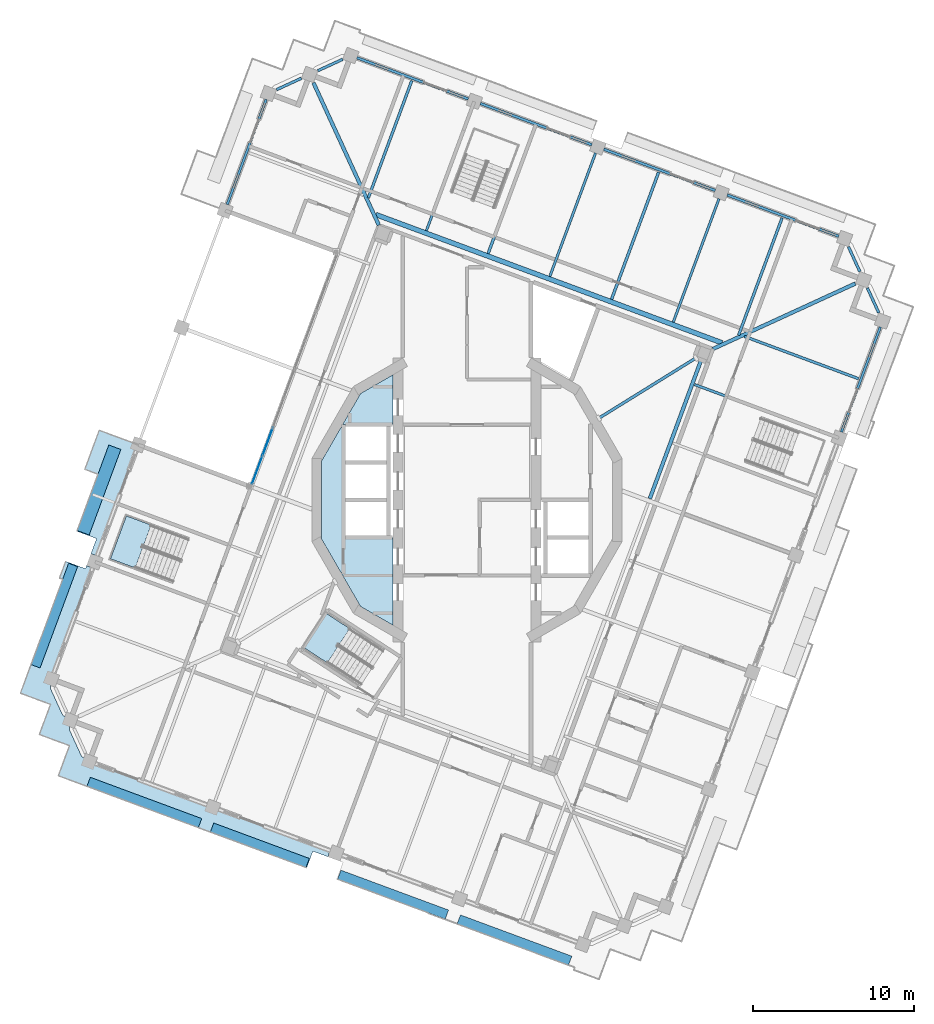
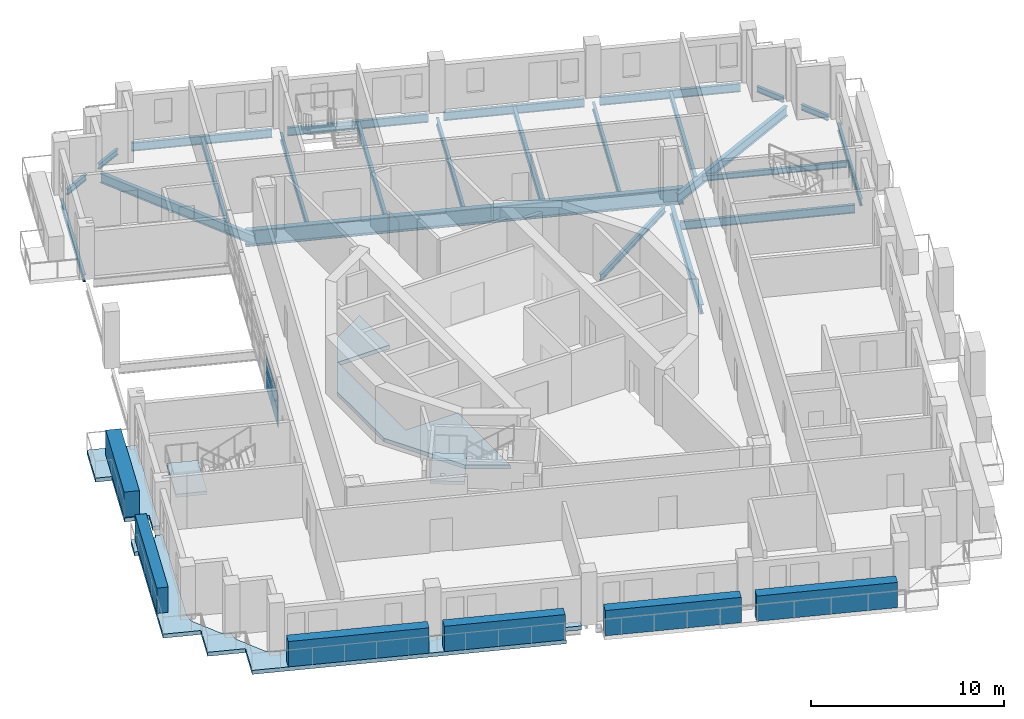
# One storey, part 5 of 20: 24 beams, 10 plates, 5 slabs, 3 elements without a shape of their own.
"""IFC4 building model written with IfcOpenShell, lengths in metres."""

import ifcopenshell
import ifcopenshell.guid

model = None  # the IFC model being written
_history = None  # IfcOwnerHistory: only IFC2X3 demands one
_inside = {}  # id of a spatial element -> (the spatial element, [elements in it])
_under = {}  # id of a project, library or spatial element -> (it, [spatial elements below it])
_declared = {}  # id of a project -> (the project, [libraries it declares])
_typed = {}  # id of a type object -> (the type object, [elements of that type])
_made_of = {}  # id of a material, layer set ... -> (it, [elements and type objects made of it])


def new_model(schema):
    """Start an empty IFC model of exactly this schema.

    Asked for "IFC4X3", IfcOpenShell would pick the latest addendum, in which some entities
    have other attributes; the version numbers below select the first issue.
    IFC2X3 requires an IfcOwnerHistory on every rooted entity: one is made here for all.
    """
    global model, _history
    if schema == "IFC4X3":
        model = ifcopenshell.file(schema_version=(4, 3, 0, 0))
    else:
        model = ifcopenshell.file(schema=schema)
    _inside.clear()
    _under.clear()
    _declared.clear()
    _typed.clear()
    _made_of.clear()
    _history = None
    if model.schema == "IFC2X3":
        org = make("IfcOrganization", Name="unknown")
        user = make(
            "IfcPersonAndOrganization",
            ThePerson=make("IfcPerson", FamilyName="unknown"),
            TheOrganization=org,
        )
        app = make(
            "IfcApplication",
            ApplicationDeveloper=org,
            Version="unknown",
            ApplicationFullName="unknown",
            ApplicationIdentifier="unknown",
        )
        _history = make(
            "IfcOwnerHistory",
            OwningUser=user,
            OwningApplication=app,
            ChangeAction="ADDED",
            CreationDate=0,
        )
    return model


def make(cls, **values):
    """One entity of the class cls with the attributes given. An attribute that is None is left unset."""
    return model.create_entity(
        cls, **{name: value for name, value in values.items() if value is not None}
    )


def rooted(cls, **values):
    """An entity with a GlobalId (a new one), such as an element, a storey or a relation."""
    return make(cls, GlobalId=ifcopenshell.guid.new(), OwnerHistory=_history, **values)


def si_unit(unit_type, name, prefix=None):
    """IfcSIUnit, for example si_unit("LENGTHUNIT", "METRE", prefix="MILLI")."""
    return make("IfcSIUnit", UnitType=unit_type, Prefix=prefix, Name=name)


def assignment(units):
    """IfcUnitAssignment: the units of a project."""
    return None if units is None else make("IfcUnitAssignment", Units=units)


def point(xyz):
    """IfcCartesianPoint."""
    return None if xyz is None else make("IfcCartesianPoint", Coordinates=xyz)


def direction(xyz):
    """IfcDirection."""
    return None if xyz is None else make("IfcDirection", DirectionRatios=xyz)


def frame(location, z_axis=None, x_axis=None):
    """IfcAxis2Placement3D, a coordinate frame: its origin and axes. An axis left out is left unset."""
    return make(
        "IfcAxis2Placement3D",
        Location=point(location),
        Axis=direction(z_axis),
        RefDirection=direction(x_axis),
    )


def frame_2d(location, x_axis=None):
    """IfcAxis2Placement2D, a coordinate frame in the plane: its origin and x axis."""
    return make(
        "IfcAxis2Placement2D", Location=point(location), RefDirection=direction(x_axis)
    )


def origin():
    """The frame at (0, 0, 0) with its axes left unset."""
    return frame((0.0, 0.0, 0.0))


def origin_2d():
    """The frame at (0, 0) in the plane with its x axis left unset."""
    return frame_2d((0.0, 0.0))


def place(relative_to, where):
    """IfcLocalPlacement: puts the frame where relative to a parent placement (None: the world)."""
    return make(
        "IfcLocalPlacement", PlacementRelTo=relative_to, RelativePlacement=where
    )


def context(
    kind, dimensions, precision=None, world=None, true_north=None, identifier=None
):
    """IfcGeometricRepresentationContext, for example the 3D "Model" context."""
    return make(
        "IfcGeometricRepresentationContext",
        ContextIdentifier=identifier,
        ContextType=kind,
        CoordinateSpaceDimension=dimensions,
        Precision=precision,
        WorldCoordinateSystem=world,
        TrueNorth=true_north,
    )


def subcontext(parent, identifier, kind, view, scale=None):
    """IfcGeometricRepresentationSubContext, for example "Body" below "Model"."""
    return make(
        "IfcGeometricRepresentationSubContext",
        ContextIdentifier=identifier,
        ContextType=kind,
        ParentContext=parent,
        TargetScale=scale,
        TargetView=view,
    )


def project(units=None, contexts=None):
    """IfcProject with its units and contexts."""
    return rooted(
        "IfcProject",
        Name="project",
        RepresentationContexts=contexts,
        UnitsInContext=assignment(units),
    )


def spatial(cls, under=None, at=None, **own):
    """A site, building, storey or space (cls), placed at a placement, below another one or the project."""
    s = rooted(cls, ObjectPlacement=at, **own)
    if under is not None:
        _under.setdefault(under.id(), (under, []))[1].append(s)
    return s


def polyline(points):
    """IfcPolyline through the points."""
    return make("IfcPolyline", Points=[point(p) for p in points])


def profile(cls, at=None, kind="AREA", **sizes):
    """A parametric profile (cls). Its sizes go by their IFC names, for example OverallWidth=200.0."""
    return make(cls, ProfileType=kind, Position=at, **sizes)


def rectangle(**sizes):
    """IfcRectangleProfileDef."""
    return profile("IfcRectangleProfileDef", **sizes)


def i_section(**sizes):
    """IfcIShapeProfileDef."""
    return profile("IfcIShapeProfileDef", **sizes)


def outline(outer, holes=None, kind="AREA"):
    """IfcArbitraryClosedProfileDef: a profile drawn as a closed curve; with holes, ...WithVoids."""
    if holes is None:
        return make("IfcArbitraryClosedProfileDef", ProfileType=kind, OuterCurve=outer)
    return make(
        "IfcArbitraryProfileDefWithVoids",
        ProfileType=kind,
        OuterCurve=outer,
        InnerCurves=holes,
    )


def extrude(swept, where, along, depth):
    """IfcExtrudedAreaSolid: the profile swept, set in the frame where, extruded along a direction by depth."""
    return make(
        "IfcExtrudedAreaSolid",
        SweptArea=swept,
        Position=where,
        ExtrudedDirection=direction(along),
        Depth=depth,
    )


def shape(context_of_items, identifier, shape_type, items):
    """IfcShapeRepresentation: the items that make up one representation, for example the "Body"."""
    return make(
        "IfcShapeRepresentation",
        ContextOfItems=context_of_items,
        RepresentationIdentifier=identifier,
        RepresentationType=shape_type,
        Items=items,
    )


def material(Name=None, Category=None):
    """IfcMaterial."""
    return make("IfcMaterial", Name=Name, Category=Category)


def layer(
    of_material, thickness, ventilated=None, Name=None, Category=None, Priority=None
):
    """IfcMaterialLayer: one layer of a wall or slab, of a material (None: an air gap)."""
    return make(
        "IfcMaterialLayer",
        Material=of_material,
        LayerThickness=thickness,
        IsVentilated=ventilated,
        Name=Name,
        Category=Category,
        Priority=Priority,
    )


def layer_set(layers, Name=None):
    """IfcMaterialLayerSet."""
    return make("IfcMaterialLayerSet", MaterialLayers=layers, LayerSetName=Name)


def material_profile(
    of_material, cross_section, Name=None, Category=None, Priority=None
):
    """IfcMaterialProfile: a cross section and its material."""
    return make(
        "IfcMaterialProfile",
        Name=Name,
        Material=of_material,
        Profile=cross_section,
        Priority=Priority,
        Category=Category,
    )


def profile_set(profiles, Name=None, composite=None):
    """IfcMaterialProfileSet."""
    return make(
        "IfcMaterialProfileSet",
        Name=Name,
        MaterialProfiles=profiles,
        CompositeProfile=composite,
    )


def made_of(thing, what):
    """Note that an element or type object is made of a material, layer set ...; save() writes the relation."""
    if what is not None:
        _made_of.setdefault(what.id(), (what, []))[1].append(thing)
    return thing


def type_object(cls, material=None, **own):
    """A type object (cls), such as IfcWallType, which elements share."""
    return made_of(rooted(cls, **own), material)


def element(
    cls,
    number,
    at=None,
    inside=None,
    cuts=None,
    type_object=None,
    material=None,
    context=None,
    identifier="Body",
    shape_type=None,
    held_by="IfcProductDefinitionShape",
    body=None,
    shapes=None,
    **own,
):
    """One element of the class cls, such as IfcWall. Its Tag is "e" and its number.

    at: its placement. inside: the storey or other place that contains it. cuts: it is an
    opening in that element (IfcRelVoidsElement). A single representation is given by context,
    identifier, shape_type and body (its items); several are given by shapes. held_by: the class
    of the entity that holds the representations. save() writes the other relations.
    """
    e = rooted(cls, Tag="e%d" % number, ObjectPlacement=at, **own)
    if body is not None:
        shapes = [shape(context, identifier, shape_type, body)]
    if shapes is not None:
        e.Representation = make(held_by, Representations=shapes)
    if inside is not None:
        _inside.setdefault(inside.id(), (inside, []))[1].append(e)
    if cuts is not None:
        rooted(
            "IfcRelVoidsElement", RelatingBuildingElement=cuts, RelatedOpeningElement=e
        )
    if type_object is not None:
        _typed.setdefault(type_object.id(), (type_object, []))[1].append(e)
    return made_of(e, material)


def aggregate(whole, parts):
    """IfcRelAggregates: a whole, such as a stair, and the parts it consists of."""
    return rooted("IfcRelAggregates", RelatingObject=whole, RelatedObjects=parts)


def save(model, path):
    """Write the relations noted so far, then the file.

    IfcRelAggregates (storeys below a building ...), IfcRelContainedInSpatialStructure (elements
    in a storey), IfcRelDefinesByType, IfcRelAssociatesMaterial and IfcRelDeclares: one each for
    every whole, place, type object, material and project.
    """
    for whole, parts in _under.values():
        aggregate(whole, parts)
    for where, things in _inside.values():
        rooted(
            "IfcRelContainedInSpatialStructure",
            RelatedElements=things,
            RelatingStructure=where,
        )
    for kind, things in _typed.values():
        rooted("IfcRelDefinesByType", RelatedObjects=things, RelatingType=kind)
    for what, things in _made_of.values():
        rooted("IfcRelAssociatesMaterial", RelatedObjects=things, RelatingMaterial=what)
    for by, libraries in _declared.values():
        rooted("IfcRelDeclares", RelatingContext=by, RelatedDefinitions=libraries)
    model.write(path)


model = new_model("IFC4")

# Units and contexts
model_context = context("Model", 3, precision=1e-05, world=origin(), true_north=direction((0.0, 1.0)))
body_context = subcontext(model_context, "Body", "Model", "MODEL_VIEW")
ifc_project = project(units=[si_unit("LENGTHUNIT", "METRE"), si_unit("AREAUNIT", "SQUARE_METRE"), si_unit("VOLUMEUNIT", "CUBIC_METRE"), si_unit("PLANEANGLEUNIT", "RADIAN"), si_unit("MASSUNIT", "GRAM", prefix="KILO")], contexts=[model_context])

# Site, building, storey
site_placement = place(None, origin())
site = spatial("IfcSite", under=ifc_project, at=site_placement, CompositionType="ELEMENT")
building_placement = place(site_placement, origin())
building = spatial("IfcBuilding", under=site, at=building_placement, Name="Cantera Rosa Tower", CompositionType="ELEMENT")
storey_placement = place(building_placement, frame((0.0, 0.0, 313.300048828125)))
storey = spatial("IfcBuildingStorey", under=building, at=storey_placement, Name="L69", CompositionType="ELEMENT", Elevation=313.300048828125)

# Beams
ifc_material_1 = material(Name="Steel ASTM A992 (Fy 345 MPa)", Category="steel")
ifc_material_profile_1 = material_profile(ifc_material_1, i_section(OverallWidth=0.302001953125, OverallDepth=1.010009765625, WebThickness=0.02099609375, FlangeThickness=0.0400390625, FilletRadius=0.030029296875, at=origin_2d()), Name="W1000X350")
ifc_profile_set_1 = profile_set([ifc_material_profile_1], Name="Steel ASTM A992 (Fy 345 MPa)")
beam_type_1 = type_object("IfcBeamType", Name="STEEL BEAM W1000X350", PredefinedType="BEAM", material=ifc_profile_set_1)
beam_1_placement = place(storey_placement, frame((15.891357421875, 9.787841796875, -0.755126953125), z_axis=(-0.937685748232, 0.347484442189, 0.0), x_axis=(-0.347484442189, -0.937685748232, 0.0)))
element("IfcBeam", 1, at=beam_1_placement, inside=storey, type_object=beam_type_1, Name="RB-Z6-07 L69", PredefinedType="BEAM", context=body_context, shape_type="SweptSolid", body=[
    extrude(i_section(OverallWidth=0.302001953125, OverallDepth=1.010009765625, WebThickness=0.02099609375, FlangeThickness=0.0400390625, FilletRadius=0.030029296875, at=origin_2d()), origin(), (0.0, 0.0, 1.0), 23.000244140625),
])
ifc_material_2 = material(Name="Steel ASTM A992 (Fy 345 MPa)", Category="steel")
ifc_material_profile_2 = material_profile(ifc_material_2, i_section(OverallWidth=0.177978515625, OverallDepth=0.406005859375, WebThickness=0.0078125, FlangeThickness=0.0126953125, FilletRadius=0.01025390625, at=origin_2d()), Name="W410X60")
ifc_profile_set_2 = profile_set([ifc_material_profile_2], Name="Steel ASTM A992 (Fy 345 MPa)")
beam_type_2 = type_object("IfcBeamType", Name="STEEL BEAM W410X60", PredefinedType="BEAM", material=ifc_profile_set_2)
beam_2_placement = place(storey_placement, frame((14.262451171875, 8.84521484375, -0.453125), z_axis=(-0.849840939707, -0.527039255841, 0.0), x_axis=(0.527039255841, -0.849840939707, 0.0)))
element("IfcBeam", 2, at=beam_2_placement, inside=storey, type_object=beam_type_2, Name="PG-Z6-02 L69", PredefinedType="BEAM", context=body_context, shape_type="SweptSolid", body=[
    extrude(i_section(OverallWidth=0.177978515625, OverallDepth=0.406005859375, WebThickness=0.0078125, FlangeThickness=0.0126953125, FilletRadius=0.01025390625, at=origin_2d()), origin(), (0.0, 0.0, 1.0), 7.118408203125),
])
ifc_material_3 = material(Name="Steel ASTM A992 (Fy 345 MPa)", Category="steel")
ifc_material_profile_3 = material_profile(ifc_material_3, i_section(OverallWidth=0.154052734375, OverallDepth=0.4599609375, WebThickness=0.009033203125, FlangeThickness=0.015380859375, FilletRadius=0.01025390625, at=origin_2d()), Name="W460X68")
ifc_profile_set_3 = profile_set([ifc_material_profile_3], Name="Steel ASTM A992 (Fy 345 MPa)")
beam_type_3 = type_object("IfcBeamType", Name="STEEL BEAM W460X68", PredefinedType="BEAM", material=ifc_profile_set_3)
for number, where, z_axis, x_axis, name in (
    (3, (15.698486328125, 18.764404296875, -0.47998046875), (-0.347476286421, -0.937688770528, 0.0), (0.937688770528, -0.347476286421, 0.0), "G-Z6-01 L69"),
    (4, (8.009521484375, 21.61376953125, -0.47998046875), (-0.347476286421, -0.937688770528, 0.0), (0.937688770528, -0.347476286421, 0.0), "G-Z6-02 L69"),
    (5, (0.3203125, 24.463134765625, -0.47998046875), (-0.347476286421, -0.937688770528, 0.0), (0.937688770528, -0.347476286421, 0.0), "G-Z6-03 L69"),
):
    element("IfcBeam", number, at=place(storey_placement, frame(where, z_axis=z_axis, x_axis=x_axis)), inside=storey, type_object=beam_type_3, Name=name, PredefinedType="BEAM", context=body_context, shape_type="SweptSolid", body=[
        extrude(i_section(OverallWidth=0.154052734375, OverallDepth=0.4599609375, WebThickness=0.009033203125, FlangeThickness=0.015380859375, FilletRadius=0.01025390625, at=origin_2d()), origin(), (0.0, 0.0, 1.0), 8.2001953125),
    ])
ifc_material_4 = material(Name="Steel ASTM A992 (Fy 345 MPa)", Category="steel")
ifc_material_profile_4 = material_profile(ifc_material_4, i_section(OverallWidth=0.166015625, OverallDepth=0.528076171875, WebThickness=0.009765625, FlangeThickness=0.013671875, FilletRadius=0.0126953125, at=origin_2d()), Name="W530X74")
ifc_profile_set_4 = profile_set([ifc_material_profile_4], Name="Steel ASTM A992 (Fy 345 MPa)")
beam_type_4 = type_object("IfcBeamType", Name="STEEL BEAM W530X74", PredefinedType="BEAM", material=ifc_profile_set_4)
beam_3_placement = place(storey_placement, frame((22.808837890625, 3.9931640625, -0.51416015625), z_axis=(-0.937688566, 0.347476838353, 0.0), x_axis=(-0.347476838353, -0.937688566, 0.0)))
element("IfcBeam", 6, at=beam_3_placement, inside=storey, type_object=beam_type_4, Name="G-Z6-11 L69", PredefinedType="BEAM", context=body_context, shape_type="SweptSolid", body=[
    extrude(i_section(OverallWidth=0.166015625, OverallDepth=0.528076171875, WebThickness=0.009765625, FlangeThickness=0.013671875, FilletRadius=0.0126953125, at=origin_2d()), origin(), (0.0, 0.0, 1.0), 9.199951171875),
])
ifc_material_5 = material(Name="Steel ASTM A992 (Fy 345 MPa)", Category="steel")
ifc_material_profile_5 = material_profile(ifc_material_5, i_section(OverallWidth=0.22802734375, OverallDepth=0.60205078125, WebThickness=0.010498046875, FlangeThickness=0.014892578125, FilletRadius=0.0126953125, at=origin_2d()), Name="W610X101")
ifc_profile_set_5 = profile_set([ifc_material_profile_5], Name="Steel ASTM A992 (Fy 345 MPa)")
beam_type_5 = type_object("IfcBeamType", Name="STEEL BEAM W610X101", PredefinedType="BEAM", material=ifc_profile_set_5)
for number, where, z_axis, x_axis, name in (
    (7, (-9.56396484375, 25.992919921875, -0.551025390625), (0.417345508131, -0.908747889595, 0.0), (0.908747889595, 0.417345508131, 0.0), "CB-Z6-01 L69"),
    (8, (24.19287109375, 13.483642578125, -0.551025390625), (-0.908747889595, -0.417345508131, 0.0), (0.417345508131, -0.908747889595, 0.0), "CB-Z6-04 L69"),
):
    element("IfcBeam", number, at=place(storey_placement, frame(where, z_axis=z_axis, x_axis=x_axis)), inside=storey, type_object=beam_type_5, Name=name, PredefinedType="BEAM", context=body_context, shape_type="SweptSolid", body=[
        extrude(i_section(OverallWidth=0.22802734375, OverallDepth=0.60205078125, WebThickness=0.010498046875, FlangeThickness=0.014892578125, FilletRadius=0.0126953125, at=origin_2d()), origin(), (0.0, 0.0, 1.0), 9.758056640625),
    ])
beam_4_placement = place(storey_placement, frame((11.39013671875, 0.087646484375, -0.551025390625), z_axis=(0.347498244979, 0.937680633125, 0.0), x_axis=(-0.937680633125, 0.347498244979, 0.0)))
element("IfcBeam", 9, at=beam_4_placement, inside=storey, type_object=beam_type_5, Name="RB-Z6-06 L69", PredefinedType="BEAM", context=body_context, shape_type="SweptSolid", body=[
    extrude(i_section(OverallWidth=0.22802734375, OverallDepth=0.60205078125, WebThickness=0.010498046875, FlangeThickness=0.014892578125, FilletRadius=0.0126953125, at=origin_2d()), origin(), (0.0, 0.0, 1.0), 9.2099609375),
])
ifc_material_6 = material(Name="Steel ASTM A992 (Fy 345 MPa)", Category="steel")
ifc_material_profile_6 = material_profile(ifc_material_6, i_section(OverallWidth=0.1708984375, OverallDepth=0.35595703125, WebThickness=0.00732421875, FlangeThickness=0.01171875, FilletRadius=0.010009765625, at=origin_2d()), Name="W360X51")
ifc_profile_set_6 = profile_set([ifc_material_profile_6], Name="Steel ASTM A992 (Fy 345 MPa)")
beam_type_6 = type_object("IfcBeamType", Name="STEEL JOIST W360X51", PredefinedType="JOIST", material=ifc_profile_set_6)
for number, where, z_axis, x_axis, name in (
    (10, (19.6298828125, 17.573974609375, -0.427978515625), (-0.347491728417, -0.937683048093, 0.0), (0.937683048093, -0.347491728417, 0.0), "B-Z6-01 L69"),
    (11, (-3.437255859375, 26.1220703125, -0.427978515625), (-0.347491728417, -0.937683048093, 0.0), (0.937683048093, -0.347491728417, 0.0), "B-Z6-04 L69"),
):
    element("IfcBeam", number, at=place(storey_placement, frame(where, z_axis=z_axis, x_axis=x_axis)), inside=storey, type_object=beam_type_6, Name=name, PredefinedType="JOIST", context=body_context, shape_type="SweptSolid", body=[
        extrude(i_section(OverallWidth=0.1708984375, OverallDepth=0.35595703125, WebThickness=0.00732421875, FlangeThickness=0.01171875, FilletRadius=0.010009765625, at=origin_2d()), origin(), (0.0, 0.0, 1.0), 7.800048828125),
    ])
beam_5_placement = place(storey_placement, frame((24.39501953125, 7.553955078125, -0.427978515625), z_axis=(-0.937686277131, 0.347483014951, 0.0), x_axis=(-0.347483014951, -0.937686277131, 0.0)))
element("IfcBeam", 12, at=beam_5_placement, inside=storey, type_object=beam_type_6, Name="B-Z6-14 L69", PredefinedType="JOIST", context=body_context, shape_type="SweptSolid", body=[
    extrude(i_section(OverallWidth=0.1708984375, OverallDepth=0.35595703125, WebThickness=0.00732421875, FlangeThickness=0.01171875, FilletRadius=0.010009765625, at=origin_2d()), origin(), (0.0, 0.0, 1.0), 7.590087890625),
])
ifc_material_7 = material(Name="Steel ASTM A992 (Fy 345 MPa)", Category="steel")
ifc_material_profile_7 = material_profile(ifc_material_7, i_section(OverallWidth=0.177978515625, OverallDepth=0.406005859375, WebThickness=0.0078125, FlangeThickness=0.0126953125, FilletRadius=0.01025390625, at=origin_2d()), Name="W410X60")
ifc_profile_set_7 = profile_set([ifc_material_profile_7], Name="Steel ASTM A992 (Fy 345 MPa)")
beam_type_7 = type_object("IfcBeamType", Name="STEEL JOIST W410X60", PredefinedType="JOIST", material=ifc_profile_set_7)
for number, where, z_axis, x_axis, name in (
    (13, (11.94091796875, 20.42333984375, -0.453125), (-0.347492201592, -0.937682872742, 0.0), (0.937682872742, -0.347492201592, 0.0), "B-Z6-02 L69"),
    (14, (4.251708984375, 23.272705078125, -0.453125), (-0.347466797349, -0.937692286808, 0.0), (0.937692286808, -0.347466797349, 0.0), "B-Z6-03 L69"),
):
    element("IfcBeam", number, at=place(storey_placement, frame(where, z_axis=z_axis, x_axis=x_axis)), inside=storey, type_object=beam_type_7, Name=name, PredefinedType="JOIST", context=body_context, shape_type="SweptSolid", body=[
        extrude(i_section(OverallWidth=0.177978515625, OverallDepth=0.406005859375, WebThickness=0.0078125, FlangeThickness=0.0126953125, FilletRadius=0.01025390625, at=origin_2d()), origin(), (0.0, 0.0, 1.0), 8.449951171875),
    ])
ifc_material_8 = material(Name="Steel ASTM A992 (Fy 345 MPa)", Category="steel")
ifc_material_profile_8 = material_profile(ifc_material_8, i_section(OverallWidth=0.1708984375, OverallDepth=0.35595703125, WebThickness=0.00732421875, FlangeThickness=0.01171875, FilletRadius=0.010009765625, at=origin_2d()), Name="W360X51")
ifc_profile_set_8 = profile_set([ifc_material_profile_8], Name="Steel ASTM A992 (Fy 345 MPa)")
beam_type_8 = type_object("IfcBeamType", Name="STEEL SPANDREL BEAM W360X51", PredefinedType="SPANDREL", material=ifc_profile_set_8)
for number, where, z_axis, x_axis, name in (
    (15, (-7.74365234375, 27.451416015625, -0.427978515625), (-0.908753529973, -0.417333226286, 0.0), (0.417333226286, -0.908753529973, 0.0), "EB-Z6-05 L69"),
    (16, (-10.31396484375, 26.27099609375, -0.427978515625), (-0.908753529973, -0.417333226286, 0.0), (0.417333226286, -0.908753529973, 0.0), "EB-Z6-06 L69"),
):
    element("IfcBeam", number, at=place(storey_placement, frame(where, z_axis=z_axis, x_axis=x_axis)), inside=storey, type_object=beam_type_8, Name=name, PredefinedType="SPANDREL", context=body_context, shape_type="SweptSolid", body=[
        extrude(i_section(OverallWidth=0.1708984375, OverallDepth=0.35595703125, WebThickness=0.00732421875, FlangeThickness=0.01171875, FilletRadius=0.010009765625, at=origin_2d()), origin(), (0.0, 0.0, 1.0), 1.697021484375),
    ])
for number, where, z_axis, x_axis, name in (
    (17, (25.651123046875, 11.66357421875, -0.427978515625), (-0.417268968709, 0.908783036677, 0.0), (-0.908783036677, -0.417268968709, 0.0), "EB-Z6-25 L69"),
    (18, (24.470947265625, 14.23388671875, -0.427978515625), (-0.417387791404, 0.908728469669, 0.0), (-0.908728469669, -0.417387791404, 0.0), "EB-Z6-26 L69"),
):
    element("IfcBeam", number, at=place(storey_placement, frame(where, z_axis=z_axis, x_axis=x_axis)), inside=storey, type_object=beam_type_8, Name=name, PredefinedType="SPANDREL", context=body_context, shape_type="SweptSolid", body=[
        extrude(i_section(OverallWidth=0.1708984375, OverallDepth=0.35595703125, WebThickness=0.00732421875, FlangeThickness=0.01171875, FilletRadius=0.010009765625, at=origin_2d()), origin(), (0.0, 0.0, 1.0), 1.69677734375),
    ])
ifc_material_9 = material(Name="Steel ASTM A992 (Fy 345 MPa)", Category="steel")
ifc_material_profile_9 = material_profile(ifc_material_9, i_section(OverallWidth=0.154052734375, OverallDepth=0.4599609375, WebThickness=0.009033203125, FlangeThickness=0.015380859375, FilletRadius=0.01025390625, at=origin_2d()), Name="W460X68")
ifc_profile_set_9 = profile_set([ifc_material_profile_9], Name="Steel ASTM A992 (Fy 345 MPa)")
beam_type_9 = type_object("IfcBeamType", Name="STEEL SPANDREL BEAM W460X68", PredefinedType="SPANDREL", material=ifc_profile_set_9)
beam_6_placement = place(storey_placement, frame((-12.50927734375, 24.95166015625, -0.47998046875), z_axis=(-0.347490919506, -0.937683347864, 0.0), x_axis=(0.937683347864, -0.347490919506, 0.0)))
element("IfcBeam", 19, at=beam_6_placement, inside=storey, type_object=beam_type_9, Name="EB-Z6-07 L69", PredefinedType="SPANDREL", context=body_context, shape_type="SweptSolid", body=[
    extrude(i_section(OverallWidth=0.154052734375, OverallDepth=0.4599609375, WebThickness=0.009033203125, FlangeThickness=0.015380859375, FilletRadius=0.01025390625, at=origin_2d()), origin(), (0.0, 0.0, 1.0), 6.980224609375),
])
beam_7_placement = place(storey_placement, frame((23.322998046875, 4.229248046875, -0.47998046875), z_axis=(0.347460165909, 0.937694744097, 0.0), x_axis=(-0.937694744097, 0.347460165909, 0.0)))
element("IfcBeam", 20, at=beam_7_placement, inside=storey, type_object=beam_type_9, Name="EB-Z6-24 L69", PredefinedType="SPANDREL", context=body_context, shape_type="SweptSolid", body=[
    extrude(i_section(OverallWidth=0.154052734375, OverallDepth=0.4599609375, WebThickness=0.009033203125, FlangeThickness=0.015380859375, FilletRadius=0.01025390625, at=origin_2d()), origin(), (0.0, 0.0, 1.0), 6.97998046875),
])
ifc_material_10 = material(Name="Steel ASTM A992 (Fy 345 MPa)", Category="steel")
ifc_material_profile_10 = material_profile(ifc_material_10, i_section(OverallWidth=0.166015625, OverallDepth=0.528076171875, WebThickness=0.009765625, FlangeThickness=0.013671875, FilletRadius=0.0126953125, at=origin_2d()), Name="W530X74")
ifc_profile_set_10 = profile_set([ifc_material_profile_10], Name="Steel ASTM A992 (Fy 345 MPa)")
beam_type_10 = type_object("IfcBeamType", Name="STEEL SPANDREL BEAM W530X74", PredefinedType="SPANDREL", material=ifc_profile_set_10)
beam_8_placement = place(storey_placement, frame((23.1513671875, 16.428955078125, -0.51416015625), z_axis=(-0.937676706507, 0.347508840281, 0.0), x_axis=(-0.347508840281, -0.937676706507, 0.0)))
element("IfcBeam", 21, at=beam_8_placement, inside=storey, type_object=beam_type_10, Name="EB-Z6-01 L69", PredefinedType="SPANDREL", context=body_context, shape_type="SweptSolid", body=[
    extrude(i_section(OverallWidth=0.166015625, OverallDepth=0.528076171875, WebThickness=0.009765625, FlangeThickness=0.013671875, FilletRadius=0.0126953125, at=origin_2d()), origin(), (0.0, 0.0, 1.0), 7.39990234375),
])
for number, where, z_axis, x_axis, name in (
    (22, (15.46240234375, 19.2783203125, -0.51416015625), (-0.937680690562, 0.34749808999, 0.0), (-0.34749808999, -0.937680690562, 0.0), "EB-Z6-02 L69"),
    (23, (7.7734375, 22.127685546875, -0.51416015625), (-0.937680690562, 0.34749808999, 0.0), (-0.34749808999, -0.937680690562, 0.0), "EB-Z6-03 L69"),
):
    element("IfcBeam", number, at=place(storey_placement, frame(where, z_axis=z_axis, x_axis=x_axis)), inside=storey, type_object=beam_type_10, Name=name, PredefinedType="SPANDREL", context=body_context, shape_type="SweptSolid", body=[
        extrude(i_section(OverallWidth=0.166015625, OverallDepth=0.528076171875, WebThickness=0.009765625, FlangeThickness=0.013671875, FilletRadius=0.0126953125, at=origin_2d()), origin(), (0.0, 0.0, 1.0), 7.400146484375),
    ])
beam_9_placement = place(storey_placement, frame((0.084228515625, 24.97705078125, -0.51416015625), z_axis=(-0.937687456783, 0.347479831633, 0.0), x_axis=(-0.347479831633, -0.937687456783, 0.0)))
element("IfcBeam", 24, at=beam_9_placement, inside=storey, type_object=beam_type_10, Name="EB-Z6-04 L69", PredefinedType="SPANDREL", context=body_context, shape_type="SweptSolid", body=[
    extrude(i_section(OverallWidth=0.166015625, OverallDepth=0.528076171875, WebThickness=0.009765625, FlangeThickness=0.013671875, FilletRadius=0.0126953125, at=origin_2d()), origin(), (0.0, 0.0, 1.0), 7.39990234375),
])

# Slab
ifc_material_11 = material(Name="Concrete C35/45", Category="concrete")
ifc_layer_1 = layer(ifc_material_11, 0.25)
ifc_layer_set_1 = layer_set([ifc_layer_1], Name="COMPOSITE FLOOR SLAB 250 C35/45")
slab_type_1 = type_object("IfcSlabType", Name="COMPOSITE FLOOR SLAB 250 C35/45", PredefinedType="FLOOR", material=ifc_layer_set_1)
slab_1_placement = place(storey_placement, frame((0.0, 0.0, -0.25)))
element("IfcSlab", 25, at=slab_1_placement, inside=storey, type_object=slab_type_1, Name="SLAB L69 floor 1", PredefinedType="FLOOR", context=body_context, shape_type="SweptSolid", body=[
    extrude(outline(polyline([(-7.699951171875, -2.35009765625), (-4.60009765625, -2.35009765625), (-4.60009765625, -7.804931640625), (-6.6318359375, -6.6318359375), (-9.059326171875, -2.427490234375), (-9.059326171875, 2.427490234375), (-6.6318359375, 6.6318359375), (-4.60009765625, 7.804931640625), (-4.60009765625, 4.699951171875), (-7.699951171875, 4.699951171875), (-7.699951171875, 2.35009765625), (-7.699951171875, 0.0), (-7.699951171875, -2.35009765625)])), origin(), (0.0, 0.0, 1.0), 0.25),
])

# Curtain wall, plates
ifc_material_12 = material(Name="Aluminium frame with clear glass", Category="aluminium")
curtain_wall_type = type_object("IfcCurtainWallType", Name="CW1 TERRACE POCKET GLAZING", PredefinedType="NOTDEFINED", material=ifc_material_12)
curtain_wall_placement = place(storey_placement, origin())
curtain_wall = element("IfcCurtainWall", 26, at=curtain_wall_placement, inside=storey, type_object=curtain_wall_type, Name="CW1 CW1", PredefinedType="NOTDEFINED")
ifc_material_13 = material(Name="Aluminium frame with clear glass", Category="aluminium")
ifc_layer_2 = layer(ifc_material_13, 0.028076171875)
ifc_layer_set_2 = layer_set([ifc_layer_2], Name="CW-PANEL POCKET")
plate_type_1 = type_object("IfcPlateType", Name="CW-PANEL POCKET", PredefinedType="CURTAIN_PANEL", material=ifc_layer_set_2)
plate_1_placement = place(storey_placement, frame((-12.406982421875, 3.643798828125, 0.059814453125), z_axis=(0.0, 0.0, 1.0), x_axis=(-0.347481234472, -0.93768693693, 0.0)))
plate_1 = element("IfcPlate", 27, at=plate_1_placement, type_object=plate_type_1, Name="CW1 panel 7.1", PredefinedType="CURTAIN_PANEL", context=body_context, shape_type="SweptSolid", body=[
    extrude(rectangle(XDim=1.853759765625, YDim=0.028076171875, at=origin_2d()), origin(), (0.0, 0.0, 1.0), 0.97412109375),
])
plate_2_placement = place(storey_placement, frame((-12.406982421875, 3.643798828125, 1.093994140625), z_axis=(0.0, 0.0, 1.0), x_axis=(-0.347481234472, -0.93768693693, 0.0)))
plate_2 = element("IfcPlate", 28, at=plate_2_placement, type_object=plate_type_1, Name="CW1 panel 7.2", PredefinedType="CURTAIN_PANEL", context=body_context, shape_type="SweptSolid", body=[
    extrude(rectangle(XDim=1.853759765625, YDim=0.028076171875, at=origin_2d()), origin(), (0.0, 0.0, 1.0), 0.97412109375),
])
plate_3_placement = place(storey_placement, frame((-13.066650390625, 1.863525390625, 0.059814453125), z_axis=(0.0, 0.0, 1.0), x_axis=(-0.347481234472, -0.93768693693, 0.0)))
plate_3 = element("IfcPlate", 29, at=plate_3_placement, type_object=plate_type_1, Name="CW1 panel 8.1", PredefinedType="CURTAIN_PANEL", context=body_context, shape_type="SweptSolid", body=[
    extrude(rectangle(XDim=1.82373046875, YDim=0.028076171875, at=origin_2d()), origin(), (0.0, 0.0, 1.0), 0.97412109375),
])
plate_4_placement = place(storey_placement, frame((-13.066650390625, 1.863525390625, 1.093994140625), z_axis=(0.0, 0.0, 1.0), x_axis=(-0.347481234472, -0.93768693693, 0.0)))
plate_4 = element("IfcPlate", 30, at=plate_4_placement, type_object=plate_type_1, Name="CW1 panel 8.2", PredefinedType="CURTAIN_PANEL", context=body_context, shape_type="SweptSolid", body=[
    extrude(rectangle(XDim=1.82373046875, YDim=0.028076171875, at=origin_2d()), origin(), (0.0, 0.0, 1.0), 0.97412109375),
])
aggregate(curtain_wall, [plate_1, plate_2, plate_3, plate_4])

# Slabs
ifc_material_14 = material(Name="Concrete C35/45", Category="concrete")
ifc_layer_3 = layer(ifc_material_14, 0.25)
ifc_layer_set_3 = layer_set([ifc_layer_3], Name="LOGGIA SLAB 250 C35/45")
slab_type_2 = type_object("IfcSlabType", Name="LOGGIA SLAB 250 C35/45", PredefinedType="FLOOR", material=ifc_layer_set_3)
slab_2_placement = place(storey_placement, frame((0.0, 0.0, -0.25)))
element("IfcSlab", 31, at=slab_2_placement, inside=storey, type_object=slab_type_2, Name="LOGGIA SLAB L69 1", PredefinedType="FLOOR", context=body_context, shape_type="SweptSolid", body=[
    extrude(outline(polyline([(-22.90673828125, 4.340087890625), (-20.48046875, 3.44091796875), (-23.044921875, -3.47900390625), (-23.419921875, -3.340087890625), (-23.072509765625, -2.40234375), (-24.3017578125, -1.947021484375), (-22.98388671875, 1.609375), (-23.805908203125, 1.913818359375), (-22.90673828125, 4.340087890625)])), origin(), (0.0, 0.0, 1.0), 0.25),
])
slab_3_placement = place(storey_placement, frame((0.0, 0.0, -0.25)))
element("IfcSlab", 32, at=slab_3_placement, inside=storey, type_object=slab_type_2, Name="LOGGIA SLAB L69 2", PredefinedType="FLOOR", context=body_context, shape_type="SweptSolid", body=[
    extrude(outline(polyline([(-17.76513671875, -20.024658203125), (-24.047607421875, -17.696533203125), (-25.454345703125, -17.17529296875), (-24.93310546875, -15.768798828125), (-24.75927734375, -15.300048828125), (-25.22802734375, -15.126220703125), (-26.634765625, -14.60498046875), (-26.11328125, -13.198486328125), (-25.939697265625, -12.729736328125), (-26.408447265625, -12.555908203125), (-27.815185546875, -12.03466796875), (-27.2939453125, -10.628173828125), (-25.18505859375, -4.937255859375), (-25.3828125, -4.864013671875), (-24.996826171875, -3.822265625), (-23.767578125, -4.27783203125), (-23.697998046875, -4.09033203125), (-23.322998046875, -4.229248046875), (-25.88720703125, -11.1494140625), (-25.947509765625, -11.6162109375), (-25.95068359375, -11.6455078125), (-25.950927734375, -11.6748046875), (-25.948486328125, -11.7041015625), (-25.943115234375, -11.733154296875), (-25.934814453125, -11.76123046875), (-25.923828125, -11.788818359375), (-25.215576171875, -13.330810546875), (-25.201904296875, -13.35693359375), (-25.18603515625, -13.381591796875), (-25.16748046875, -13.404541015625), (-25.14697265625, -13.42578125), (-25.12451171875, -13.444580078125), (-25.10009765625, -13.461181640625), (-24.706787109375, -13.7197265625), (-24.76708984375, -14.186279296875), (-24.770263671875, -14.2158203125), (-24.7705078125, -14.2451171875), (-24.76806640625, -14.2744140625), (-24.7626953125, -14.303466796875), (-24.75439453125, -14.331787109375), (-24.743408203125, -14.35888671875), (-24.03515625, -15.901123046875), (-24.021484375, -15.92724609375), (-24.005615234375, -15.951904296875), (-23.987060546875, -15.974853515625), (-23.966552734375, -15.99609375), (-23.944091796875, -16.014892578125), (-23.919677734375, -16.031494140625), (-23.526611328125, -16.2900390625), (-8.5234375, -21.849853515625), (-8.66259765625, -22.224853515625), (-9.60009765625, -21.87744140625), (-9.982421875, -22.90869140625), (-10.076171875, -22.8740234375), (-14.9521484375, -21.067138671875), (-17.76513671875, -20.024658203125)])), origin(), (0.0, 0.0, 1.0), 0.25),
])

# Plates
ifc_material_15 = material(Name="Cantera stone planter with soil", Category="masonry")
plate_type_2 = type_object("IfcPlateType", Name="PLANTER 600", PredefinedType="USERDEFINED", material=ifc_material_15)
plate_5_placement = place(storey_placement, frame((-25.704345703125, -7.201904296875, 0.0), z_axis=(0.0, 0.0, 1.0), x_axis=(-0.347481234489, -0.937686936924, 0.0)))
element("IfcPlate", 33, at=plate_5_placement, inside=storey, type_object=plate_type_2, Name="PLANTER L69-09", ObjectType="PLANTER", PredefinedType="USERDEFINED", context=body_context, shape_type="SweptSolid", body=[
    extrude(rectangle(XDim=6.72998046875, YDim=0.60009765625, at=origin_2d()), origin(), (0.0, 0.0, 1.0), 1.60009765625),
])
plate_6_placement = place(storey_placement, frame((-20.098876953125, -18.83984375, 0.0), z_axis=(0.0, 0.0, 1.0), x_axis=(0.937686936924, -0.347481234489, 0.0)))
element("IfcPlate", 34, at=plate_6_placement, inside=storey, type_object=plate_type_2, Name="PLANTER L69-10", ObjectType="PLANTER", PredefinedType="USERDEFINED", context=body_context, shape_type="SweptSolid", body=[
    extrude(rectangle(XDim=7.39990234375, YDim=0.60009765625, at=origin_2d()), origin(), (0.0, 0.0, 1.0), 1.60009765625),
])
plate_7_placement = place(storey_placement, frame((-12.902099609375, -21.5068359375, 0.0), z_axis=(0.0, 0.0, 1.0), x_axis=(0.937686936924, -0.347481234489, 0.0)))
element("IfcPlate", 35, at=plate_7_placement, inside=storey, type_object=plate_type_2, Name="PLANTER L69-11", ObjectType="PLANTER", PredefinedType="USERDEFINED", context=body_context, shape_type="SweptSolid", body=[
    extrude(rectangle(XDim=6.35009765625, YDim=0.60009765625, at=origin_2d()), origin(), (0.0, 0.0, 1.0), 1.60009765625),
])
plate_8_placement = place(storey_placement, frame((-4.603759765625, -24.58203125, 0.0), z_axis=(0.0, 0.0, 1.0), x_axis=(0.937686936924, -0.347481234489, 0.0)))
element("IfcPlate", 36, at=plate_8_placement, inside=storey, type_object=plate_type_2, Name="PLANTER L69-12", ObjectType="PLANTER", PredefinedType="USERDEFINED", context=body_context, shape_type="SweptSolid", body=[
    extrude(rectangle(XDim=7.14990234375, YDim=0.60009765625, at=origin_2d()), origin(), (0.0, 0.0, 1.0), 1.60009765625),
])
plate_9_placement = place(storey_placement, frame((2.958740234375, -27.4130859375, 0.0), z_axis=(0.0, 0.0, 1.0), x_axis=(0.937686936924, -0.347481234489, 0.0)))
element("IfcPlate", 37, at=plate_9_placement, inside=storey, type_object=plate_type_2, Name="PLANTER L69-13", ObjectType="PLANTER", PredefinedType="USERDEFINED", context=body_context, shape_type="SweptSolid", body=[
    extrude(rectangle(XDim=7.39990234375, YDim=0.60009765625, at=origin_2d()), origin(), (0.0, 0.0, 1.0), 1.60009765625),
])
ifc_material_16 = material(Name="Cantera stone planter with soil", Category="masonry")
plate_type_3 = type_object("IfcPlateType", Name="PLANTER 800", PredefinedType="USERDEFINED", material=ifc_material_16)
plate_10_placement = place(storey_placement, frame((-22.922607421875, 0.6240234375, 0.0), z_axis=(0.0, 0.0, 1.0), x_axis=(-0.347481234489, -0.937686936924, 0.0)))
element("IfcPlate", 38, at=plate_10_placement, inside=storey, type_object=plate_type_3, Name="PLANTER L69-08", ObjectType="PLANTER", PredefinedType="USERDEFINED", context=body_context, shape_type="SweptSolid", body=[
    extrude(rectangle(XDim=5.679931640625, YDim=0.800048828125, at=origin_2d()), origin(), (0.0, 0.0, 1.0), 1.60009765625),
])

# Stair, slab
ifc_material_17 = material(Name="Concrete C35/45", Category="concrete")
stair_type_1 = type_object("IfcStairType", Name="EXIT STAIR 1350 DOGLEG", PredefinedType="HALF_TURN_STAIR", material=ifc_material_17)
stair_1_placement = place(storey_placement, origin())
stair_1 = element("IfcStair", 39, at=stair_1_placement, inside=storey, type_object=stair_type_1, Name="L69 ST-63", PredefinedType="HALF_TURN_STAIR")
ifc_material_18 = material(Name="Concrete C35/45", Category="concrete")
ifc_layer_4 = layer(ifc_material_18, 0.199951171875)
ifc_layer_set_4 = layer_set([ifc_layer_4], Name="STAIR LANDING 200")
slab_type_3 = type_object("IfcSlabType", Name="STAIR LANDING 200", PredefinedType="LANDING", material=ifc_layer_set_4)
slab_4_placement = place(storey_placement, frame((0.0, 0.0, 1.599853515625)))
slab_4 = element("IfcSlab", 40, at=slab_4_placement, type_object=slab_type_3, Name="ST-63 landing 1", PredefinedType="LANDING", context=body_context, shape_type="SweptSolid", body=[
    extrude(outline(polyline([(-19.67626953125, -1.56005859375), (-21.2158203125, -0.989501953125), (-22.206298828125, -3.661865234375), (-20.66650390625, -4.232421875), (-19.67626953125, -1.56005859375)])), origin(), (0.0, 0.0, 1.0), 0.2001953125),
])
aggregate(stair_1, [slab_4])

ifc_material_19 = material(Name="Concrete C35/45", Category="concrete")
stair_type_2 = type_object("IfcStairType", Name="EXIT STAIR 1200 DOGLEG", PredefinedType="HALF_TURN_STAIR", material=ifc_material_19)
stair_2_placement = place(storey_placement, origin())
stair_2 = element("IfcStair", 41, at=stair_2_placement, inside=storey, type_object=stair_type_2, Name="L69 ST-64", PredefinedType="HALF_TURN_STAIR")
slab_5_placement = place(storey_placement, frame((0.0, 0.0, 1.599853515625)))
slab_5 = element("IfcSlab", 42, at=slab_5_placement, type_object=slab_type_3, Name="ST-64 landing 1", PredefinedType="LANDING", context=body_context, shape_type="SweptSolid", body=[
    extrude(outline(polyline([(-7.30908203125, -8.009033203125), (-8.81201171875, -7.032958984375), (-10.20068359375, -9.171630859375), (-8.69775390625, -10.1474609375), (-7.30908203125, -8.009033203125)])), origin(), (0.0, 0.0, 1.0), 0.2001953125),
])
aggregate(stair_2, [slab_5])

save(model, "model.ifc")
